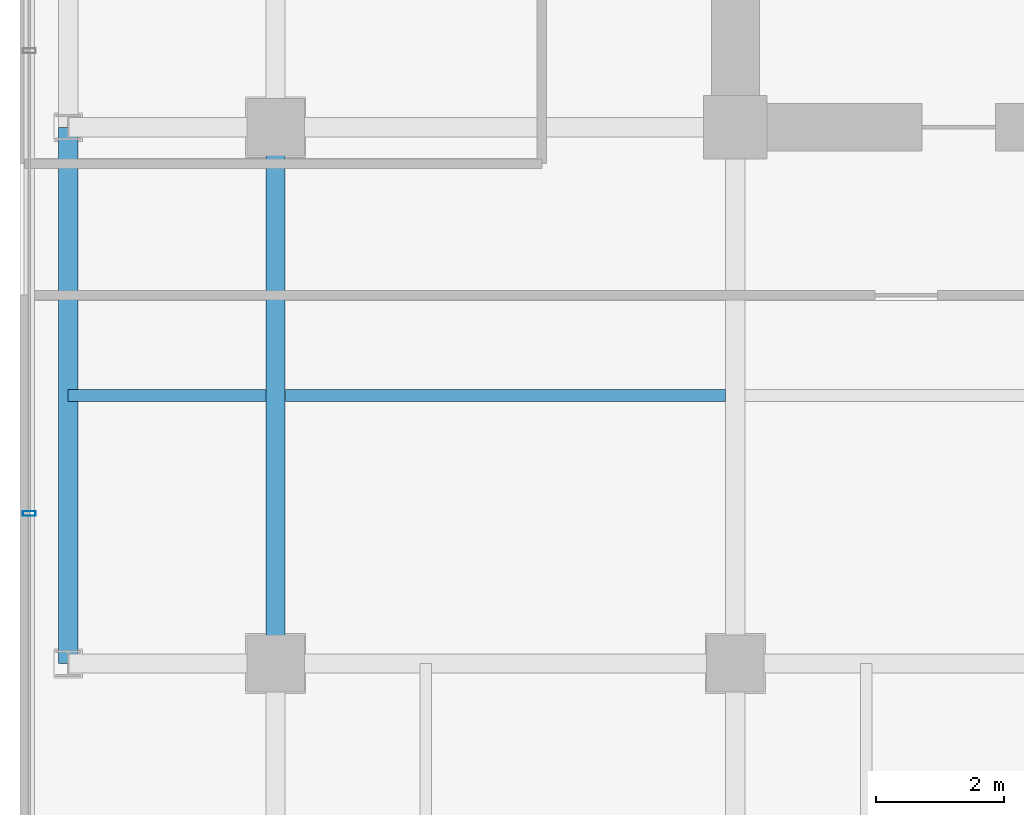
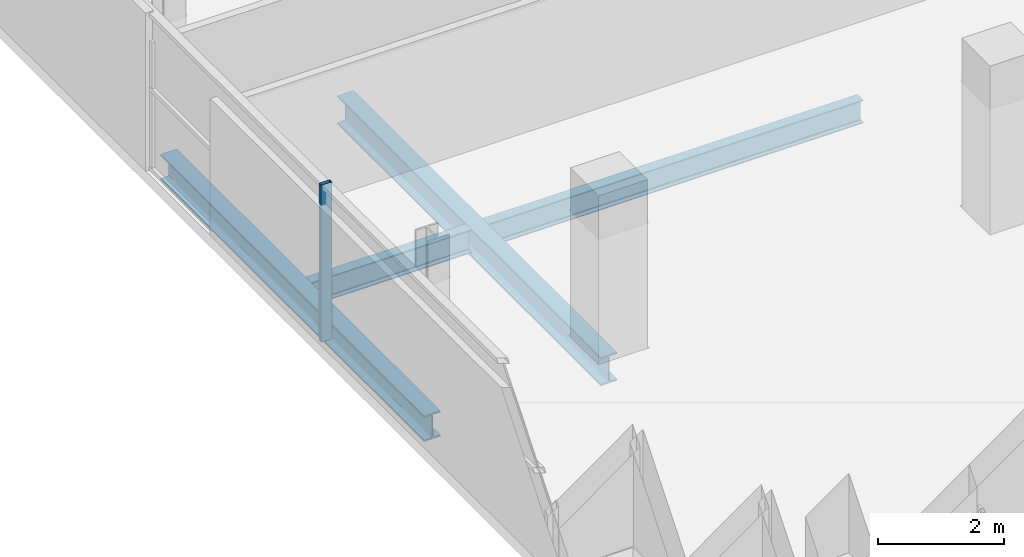
# One storey, part 4 of 25: 4 beams, 1 member, 1 element without a shape of its own.
"""IFC4 building model written with IfcOpenShell, lengths in metres."""

import ifcopenshell
import ifcopenshell.guid

model = None  # the IFC model being written
_history = None  # IfcOwnerHistory: only IFC2X3 demands one
_inside = {}  # id of a spatial element -> (the spatial element, [elements in it])
_under = {}  # id of a project, library or spatial element -> (it, [spatial elements below it])
_declared = {}  # id of a project -> (the project, [libraries it declares])
_typed = {}  # id of a type object -> (the type object, [elements of that type])
_made_of = {}  # id of a material, layer set ... -> (it, [elements and type objects made of it])


def new_model(schema):
    """Start an empty IFC model of exactly this schema.

    Asked for "IFC4X3", IfcOpenShell would pick the latest addendum, in which some entities
    have other attributes; the version numbers below select the first issue.
    IFC2X3 requires an IfcOwnerHistory on every rooted entity: one is made here for all.
    """
    global model, _history
    if schema == "IFC4X3":
        model = ifcopenshell.file(schema_version=(4, 3, 0, 0))
    else:
        model = ifcopenshell.file(schema=schema)
    _inside.clear()
    _under.clear()
    _declared.clear()
    _typed.clear()
    _made_of.clear()
    _history = None
    if model.schema == "IFC2X3":
        org = make("IfcOrganization", Name="unknown")
        user = make(
            "IfcPersonAndOrganization",
            ThePerson=make("IfcPerson", FamilyName="unknown"),
            TheOrganization=org,
        )
        app = make(
            "IfcApplication",
            ApplicationDeveloper=org,
            Version="unknown",
            ApplicationFullName="unknown",
            ApplicationIdentifier="unknown",
        )
        _history = make(
            "IfcOwnerHistory",
            OwningUser=user,
            OwningApplication=app,
            ChangeAction="ADDED",
            CreationDate=0,
        )
    return model


def make(cls, **values):
    """One entity of the class cls with the attributes given. An attribute that is None is left unset."""
    return model.create_entity(
        cls, **{name: value for name, value in values.items() if value is not None}
    )


def rooted(cls, **values):
    """An entity with a GlobalId (a new one), such as an element, a storey or a relation."""
    return make(cls, GlobalId=ifcopenshell.guid.new(), OwnerHistory=_history, **values)


def si_unit(unit_type, name, prefix=None):
    """IfcSIUnit, for example si_unit("LENGTHUNIT", "METRE", prefix="MILLI")."""
    return make("IfcSIUnit", UnitType=unit_type, Prefix=prefix, Name=name)


def assignment(units):
    """IfcUnitAssignment: the units of a project."""
    return None if units is None else make("IfcUnitAssignment", Units=units)


def point(xyz):
    """IfcCartesianPoint."""
    return None if xyz is None else make("IfcCartesianPoint", Coordinates=xyz)


def direction(xyz):
    """IfcDirection."""
    return None if xyz is None else make("IfcDirection", DirectionRatios=xyz)


def frame(location, z_axis=None, x_axis=None):
    """IfcAxis2Placement3D, a coordinate frame: its origin and axes. An axis left out is left unset."""
    return make(
        "IfcAxis2Placement3D",
        Location=point(location),
        Axis=direction(z_axis),
        RefDirection=direction(x_axis),
    )


def frame_2d(location, x_axis=None):
    """IfcAxis2Placement2D, a coordinate frame in the plane: its origin and x axis."""
    return make(
        "IfcAxis2Placement2D", Location=point(location), RefDirection=direction(x_axis)
    )


def origin():
    """The frame at (0, 0, 0) with its axes left unset."""
    return frame((0.0, 0.0, 0.0))


def origin_2d():
    """The frame at (0, 0) in the plane with its x axis left unset."""
    return frame_2d((0.0, 0.0))


def place(relative_to, where):
    """IfcLocalPlacement: puts the frame where relative to a parent placement (None: the world)."""
    return make(
        "IfcLocalPlacement", PlacementRelTo=relative_to, RelativePlacement=where
    )


def context(
    kind, dimensions, precision=None, world=None, true_north=None, identifier=None
):
    """IfcGeometricRepresentationContext, for example the 3D "Model" context."""
    return make(
        "IfcGeometricRepresentationContext",
        ContextIdentifier=identifier,
        ContextType=kind,
        CoordinateSpaceDimension=dimensions,
        Precision=precision,
        WorldCoordinateSystem=world,
        TrueNorth=true_north,
    )


def subcontext(parent, identifier, kind, view, scale=None):
    """IfcGeometricRepresentationSubContext, for example "Body" below "Model"."""
    return make(
        "IfcGeometricRepresentationSubContext",
        ContextIdentifier=identifier,
        ContextType=kind,
        ParentContext=parent,
        TargetScale=scale,
        TargetView=view,
    )


def project(units=None, contexts=None):
    """IfcProject with its units and contexts."""
    return rooted(
        "IfcProject",
        Name="project",
        RepresentationContexts=contexts,
        UnitsInContext=assignment(units),
    )


def spatial(cls, under=None, at=None, **own):
    """A site, building, storey or space (cls), placed at a placement, below another one or the project."""
    s = rooted(cls, ObjectPlacement=at, **own)
    if under is not None:
        _under.setdefault(under.id(), (under, []))[1].append(s)
    return s


def profile(cls, at=None, kind="AREA", **sizes):
    """A parametric profile (cls). Its sizes go by their IFC names, for example OverallWidth=200.0."""
    return make(cls, ProfileType=kind, Position=at, **sizes)


def hollow_rectangle(**sizes):
    """IfcRectangleHollowProfileDef."""
    return profile("IfcRectangleHollowProfileDef", **sizes)


def i_section(**sizes):
    """IfcIShapeProfileDef."""
    return profile("IfcIShapeProfileDef", **sizes)


def extrude(swept, where, along, depth):
    """IfcExtrudedAreaSolid: the profile swept, set in the frame where, extruded along a direction by depth."""
    return make(
        "IfcExtrudedAreaSolid",
        SweptArea=swept,
        Position=where,
        ExtrudedDirection=direction(along),
        Depth=depth,
    )


def shape(context_of_items, identifier, shape_type, items):
    """IfcShapeRepresentation: the items that make up one representation, for example the "Body"."""
    return make(
        "IfcShapeRepresentation",
        ContextOfItems=context_of_items,
        RepresentationIdentifier=identifier,
        RepresentationType=shape_type,
        Items=items,
    )


def source(mapping_origin, context_of_items, identifier, shape_type, items):
    """IfcRepresentationMap: a shape defined once, which mapped items show again and again."""
    return make(
        "IfcRepresentationMap",
        MappingOrigin=mapping_origin,
        MappedRepresentation=shape(context_of_items, identifier, shape_type, items),
    )


def transform(
    local_origin,
    x_axis=None,
    y_axis=None,
    z_axis=None,
    scale=None,
    scale2=None,
    scale3=None,
    uniform=True,
):
    """IfcCartesianTransformationOperator3D, or its non-uniform kind. x_axis, y_axis, z_axis: its Axis1, 2, 3."""
    if uniform:
        return make(
            "IfcCartesianTransformationOperator3D",
            Axis1=direction(x_axis),
            Axis2=direction(y_axis),
            LocalOrigin=point(local_origin),
            Scale=scale,
            Axis3=direction(z_axis),
        )
    return make(
        "IfcCartesianTransformationOperator3DnonUniform",
        Axis1=direction(x_axis),
        Axis2=direction(y_axis),
        LocalOrigin=point(local_origin),
        Scale=scale,
        Axis3=direction(z_axis),
        Scale2=scale2,
        Scale3=scale3,
    )


def mapped(mapping_source, mapping_target):
    """IfcMappedItem: shows the shape of a source again, moved by a transform."""
    return make(
        "IfcMappedItem", MappingSource=mapping_source, MappingTarget=mapping_target
    )


def material(Name=None, Category=None):
    """IfcMaterial."""
    return make("IfcMaterial", Name=Name, Category=Category)


def layer(
    of_material, thickness, ventilated=None, Name=None, Category=None, Priority=None
):
    """IfcMaterialLayer: one layer of a wall or slab, of a material (None: an air gap)."""
    return make(
        "IfcMaterialLayer",
        Material=of_material,
        LayerThickness=thickness,
        IsVentilated=ventilated,
        Name=Name,
        Category=Category,
        Priority=Priority,
    )


def layer_set(layers, Name=None):
    """IfcMaterialLayerSet."""
    return make("IfcMaterialLayerSet", MaterialLayers=layers, LayerSetName=Name)


def material_profile(
    of_material, cross_section, Name=None, Category=None, Priority=None
):
    """IfcMaterialProfile: a cross section and its material."""
    return make(
        "IfcMaterialProfile",
        Name=Name,
        Material=of_material,
        Profile=cross_section,
        Priority=Priority,
        Category=Category,
    )


def profile_set(profiles, Name=None, composite=None):
    """IfcMaterialProfileSet."""
    return make(
        "IfcMaterialProfileSet",
        Name=Name,
        MaterialProfiles=profiles,
        CompositeProfile=composite,
    )


def made_of(thing, what):
    """Note that an element or type object is made of a material, layer set ...; save() writes the relation."""
    if what is not None:
        _made_of.setdefault(what.id(), (what, []))[1].append(thing)
    return thing


def type_object(cls, material=None, **own):
    """A type object (cls), such as IfcWallType, which elements share."""
    return made_of(rooted(cls, **own), material)


def element(
    cls,
    number,
    at=None,
    inside=None,
    cuts=None,
    type_object=None,
    material=None,
    context=None,
    identifier="Body",
    shape_type=None,
    held_by="IfcProductDefinitionShape",
    body=None,
    shapes=None,
    **own,
):
    """One element of the class cls, such as IfcWall. Its Tag is "e" and its number.

    at: its placement. inside: the storey or other place that contains it. cuts: it is an
    opening in that element (IfcRelVoidsElement). A single representation is given by context,
    identifier, shape_type and body (its items); several are given by shapes. held_by: the class
    of the entity that holds the representations. save() writes the other relations.
    """
    e = rooted(cls, Tag="e%d" % number, ObjectPlacement=at, **own)
    if body is not None:
        shapes = [shape(context, identifier, shape_type, body)]
    if shapes is not None:
        e.Representation = make(held_by, Representations=shapes)
    if inside is not None:
        _inside.setdefault(inside.id(), (inside, []))[1].append(e)
    if cuts is not None:
        rooted(
            "IfcRelVoidsElement", RelatingBuildingElement=cuts, RelatedOpeningElement=e
        )
    if type_object is not None:
        _typed.setdefault(type_object.id(), (type_object, []))[1].append(e)
    return made_of(e, material)


def aggregate(whole, parts):
    """IfcRelAggregates: a whole, such as a stair, and the parts it consists of."""
    return rooted("IfcRelAggregates", RelatingObject=whole, RelatedObjects=parts)


def save(model, path):
    """Write the relations noted so far, then the file.

    IfcRelAggregates (storeys below a building ...), IfcRelContainedInSpatialStructure (elements
    in a storey), IfcRelDefinesByType, IfcRelAssociatesMaterial and IfcRelDeclares: one each for
    every whole, place, type object, material and project.
    """
    for whole, parts in _under.values():
        aggregate(whole, parts)
    for where, things in _inside.values():
        rooted(
            "IfcRelContainedInSpatialStructure",
            RelatedElements=things,
            RelatingStructure=where,
        )
    for kind, things in _typed.values():
        rooted("IfcRelDefinesByType", RelatedObjects=things, RelatingType=kind)
    for what, things in _made_of.values():
        rooted("IfcRelAssociatesMaterial", RelatedObjects=things, RelatingMaterial=what)
    for by, libraries in _declared.values():
        rooted("IfcRelDeclares", RelatingContext=by, RelatedDefinitions=libraries)
    model.write(path)


model = new_model("IFC4")

# Units and contexts
model_context = context("Model", 3, precision=1e-05, world=origin(), true_north=direction((0.0, 1.0)))
body_context = subcontext(model_context, "Body", "Model", "MODEL_VIEW")
ifc_project = project(units=[si_unit("LENGTHUNIT", "METRE"), si_unit("AREAUNIT", "SQUARE_METRE"), si_unit("VOLUMEUNIT", "CUBIC_METRE"), si_unit("PLANEANGLEUNIT", "RADIAN"), si_unit("MASSUNIT", "GRAM", prefix="KILO")], contexts=[model_context])

# Site, building, storey
site_placement = place(None, origin())
site = spatial("IfcSite", under=ifc_project, at=site_placement, CompositionType="ELEMENT")
building_placement = place(site_placement, origin())
building = spatial("IfcBuilding", under=site, at=building_placement, Name="Zarnakvel Exchange Tower", CompositionType="ELEMENT")
storey_placement = place(building_placement, frame((0.0, 0.0, 126.39990234375)))
storey = spatial("IfcBuildingStorey", under=building, at=storey_placement, Name="L35", CompositionType="ELEMENT", Elevation=126.39990234375)

# Beams
ifc_material_1 = material(Name="Steel S355", Category="steel")
ifc_material_profile_1 = material_profile(ifc_material_1, i_section(OverallWidth=0.18994140625, OverallDepth=0.449951171875, WebThickness=0.009521484375, FlangeThickness=0.0146484375, FilletRadius=0.02099609375, at=origin_2d()))
ifc_profile_set_1 = profile_set([ifc_material_profile_1], Name="Steel S355")
beam_type_1 = type_object("IfcBeamType", Name="B-05", PredefinedType="JOIST", material=ifc_profile_set_1)
beam_1_placement = place(storey_placement, frame((-24.85009765625, -5.39990234375, -0.449951171875), z_axis=(1.0, 0.0, 0.0), x_axis=(0.0, 1.0, 0.0)))
element("IfcBeam", 1, at=beam_1_placement, inside=storey, type_object=beam_type_1, Name="L35 Composite Floor Secondary Joist", PredefinedType="JOIST", context=body_context, shape_type="SweptSolid", body=[
    extrude(i_section(OverallWidth=0.18994140625, OverallDepth=0.449951171875, WebThickness=0.009521484375, FlangeThickness=0.0146484375, FilletRadius=0.02099609375, at=origin_2d()), origin(), (0.0, 0.0, 1.0), 3.10009765625),
])
beam_2_placement = place(storey_placement, frame((-21.449951171875, -5.39990234375, -0.449951171875), z_axis=(1.0, 0.0, 0.0), x_axis=(0.0, 1.0, 0.0)))
element("IfcBeam", 2, at=beam_2_placement, inside=storey, type_object=beam_type_1, Name="L35 Composite Floor Secondary Joist", PredefinedType="JOIST", context=body_context, shape_type="SweptSolid", body=[
    extrude(i_section(OverallWidth=0.18994140625, OverallDepth=0.449951171875, WebThickness=0.009521484375, FlangeThickness=0.0146484375, FilletRadius=0.02099609375, at=origin_2d()), origin(), (0.0, 0.0, 1.0), 6.89990234375),
])
ifc_material_profile_2 = material_profile(ifc_material_1, i_section(OverallWidth=0.300048828125, OverallDepth=0.550048828125, WebThickness=0.014892578125, FlangeThickness=0.029052734375, FilletRadius=0.027099609375, at=origin_2d()))
ifc_profile_set_2 = profile_set([ifc_material_profile_2], Name="Steel S355")
beam_type_2 = type_object("IfcBeamType", Name="G-05", PredefinedType="BEAM", material=ifc_profile_set_2)
beam_3_placement = place(storey_placement, frame((-21.60009765625, -9.60009765625, -0.5), z_axis=(0.0, 1.0, 0.0), x_axis=(-1.0, 0.0, 0.0)))
element("IfcBeam", 3, at=beam_3_placement, inside=storey, type_object=beam_type_2, Name="L35 Tower N-S Frame Beam", PredefinedType="BEAM", context=body_context, shape_type="SweptSolid", body=[
    extrude(i_section(OverallWidth=0.300048828125, OverallDepth=0.550048828125, WebThickness=0.014892578125, FlangeThickness=0.029052734375, FilletRadius=0.027099609375, at=origin_2d()), origin(), (0.0, 0.0, 1.0), 8.400146484375),
])
ifc_material_profile_3 = material_profile(ifc_material_1, i_section(OverallWidth=0.300048828125, OverallDepth=0.5, WebThickness=0.014404296875, FlangeThickness=0.028076171875, FilletRadius=0.027099609375, at=origin_2d()))
ifc_profile_set_3 = profile_set([ifc_material_profile_3], Name="Steel S355")
beam_type_3 = type_object("IfcBeamType", Name="SP-02", PredefinedType="SPANDREL", material=ifc_profile_set_3)
beam_4_placement = place(storey_placement, frame((-24.85009765625, -9.60009765625, -0.474853515625), z_axis=(0.0, 1.0, 0.0), x_axis=(-1.0, 0.0, 0.0)))
element("IfcBeam", 4, at=beam_4_placement, inside=storey, type_object=beam_type_3, Name="L35 Tower N-S Frame Beam", PredefinedType="SPANDREL", context=body_context, shape_type="SweptSolid", body=[
    extrude(i_section(OverallWidth=0.300048828125, OverallDepth=0.5, WebThickness=0.014404296875, FlangeThickness=0.028076171875, FilletRadius=0.027099609375, at=origin_2d()), origin(), (0.0, 0.0, 1.0), 8.400146484375),
])

# Curtain wall, member
ifc_material_2 = material(Name="Architectural Bronze Anodised Aluminium", Category="aluminium")
ifc_layer = layer(ifc_material_2, 0.199951171875)
ifc_layer_set = layer_set([ifc_layer], Name="Architectural Bronze Anodised Aluminium")
curtain_wall_type = type_object("IfcCurtainWallType", Name="CW-04", PredefinedType="NOTDEFINED", material=ifc_layer_set)
curtain_wall_placement = place(storey_placement, origin())
curtain_wall = element("IfcCurtainWall", 5, at=curtain_wall_placement, inside=storey, type_object=curtain_wall_type, Name="L35 Curtain Wall CW-L35-W1 (CW-04)", PredefinedType="NOTDEFINED")
ifc_material_profile_4 = material_profile(ifc_material_2, hollow_rectangle(XDim=0.199951171875, YDim=0.074951171875, WallThickness=0.0048828125, at=origin_2d()))
ifc_profile_set_4 = profile_set([ifc_material_profile_4], Name="Architectural Bronze Anodised Aluminium")
member_type = type_object("IfcMemberType", Name="CWM-04", PredefinedType="MULLION", material=ifc_profile_set_4)
shared_shape = source(origin(), body_context, "Body", "SweptSolid", [
    extrude(hollow_rectangle(XDim=0.199951171875, YDim=0.074951171875, WallThickness=0.0048828125, at=origin_2d()), origin(), (0.0, 0.0, 1.0), 3.05517578125),
])
member_placement = place(storey_placement, frame((-25.4599609375, -7.25, 0.0), z_axis=(0.0, 0.0, 1.0), x_axis=(-1.0, 0.0, 0.0)))
member = element("IfcMember", 6, at=member_placement, type_object=member_type, Name="CW-04 mullion 2", PredefinedType="MULLION", context=body_context, shape_type="MappedRepresentation", body=[
    mapped(shared_shape, transform((0.0, 0.0, 0.0), x_axis=(1.0, 0.0, 0.0), y_axis=(0.0, 1.0, 0.0), z_axis=(0.0, 0.0, 1.0), scale=1.0)),
])
aggregate(curtain_wall, [member])

save(model, "model.ifc")
